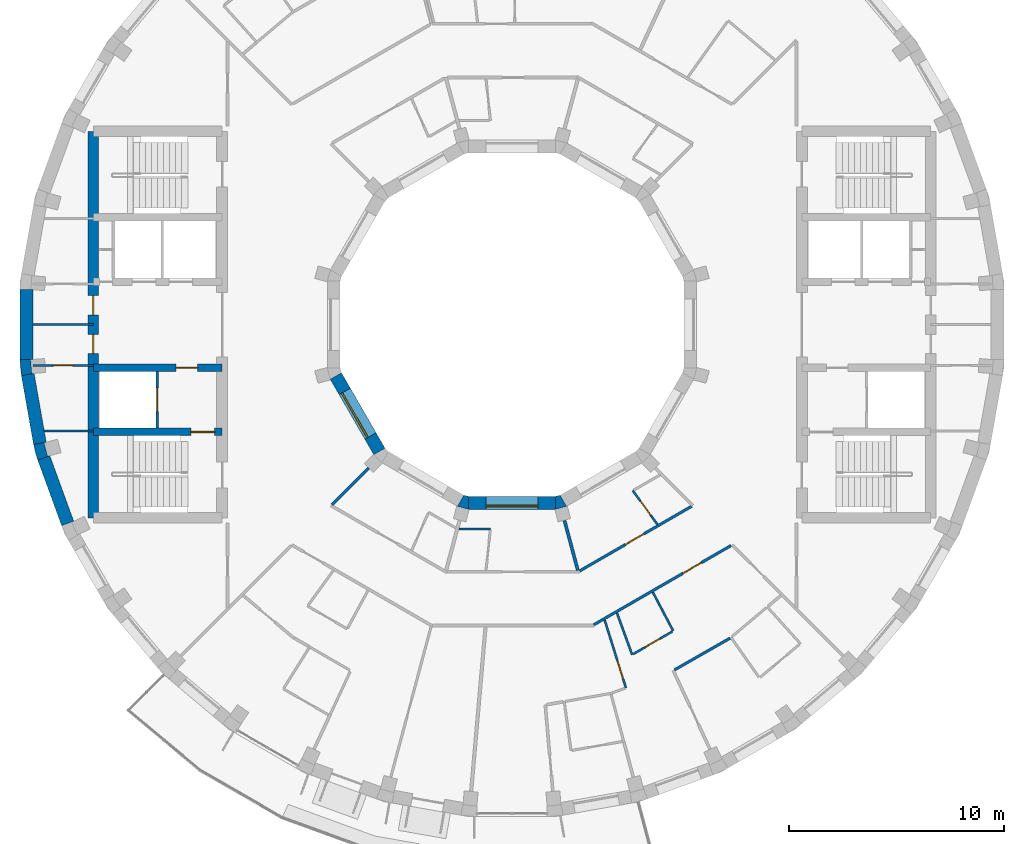
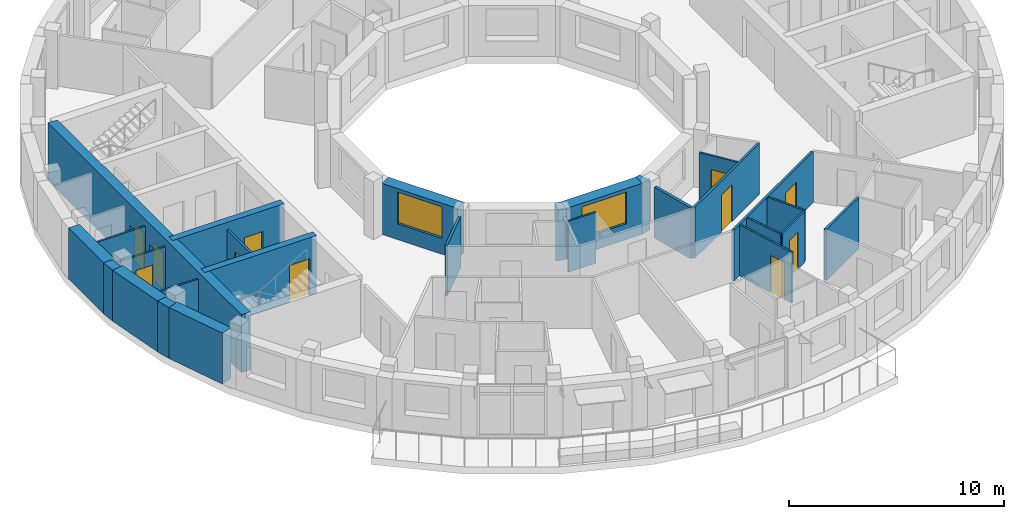
# One storey, part 5 of 12: 27 walls, 11 doors, 2 windows, 13 openings.
"""IFC4 building model written with IfcOpenShell, lengths in metres."""

from ifc_helpers import new_model, si_unit, direction, frame, frame_2d, origin, place, context, subcontext, project, spatial, polyline, rectangle, outline, extrude, material, layer, layer_set, type_object, element, fill, save


model = new_model("IFC4")

# Units and contexts
model_context = context("Model", 3, precision=1e-05, world=origin(), true_north=direction((0.0, 1.0)))
body_context = subcontext(model_context, "Body", "Model", "MODEL_VIEW")
ifc_project = project(units=[si_unit("LENGTHUNIT", "METRE"), si_unit("AREAUNIT", "SQUARE_METRE"), si_unit("VOLUMEUNIT", "CUBIC_METRE"), si_unit("PLANEANGLEUNIT", "RADIAN"), si_unit("MASSUNIT", "GRAM", prefix="KILO")], contexts=[model_context])

# Site, building, storey
site_placement = place(None, origin())
site = spatial("IfcSite", under=ifc_project, at=site_placement, CompositionType="ELEMENT")
building_placement = place(site_placement, origin())
building = spatial("IfcBuilding", under=site, at=building_placement, Name="Saqina Gate Tower", CompositionType="ELEMENT")
storey_placement = place(building_placement, frame((0.0, 0.0, 269.300048828125)))
storey = spatial("IfcBuildingStorey", under=building, at=storey_placement, Name="L77", CompositionType="ELEMENT", Elevation=269.300048828125)

# Walls
ifc_material_1 = material(Name="Brick masonry (buff)", Category="masonry")
wall_type_1 = type_object("IfcWallType", Name="BRICK PIER COPING BUFF", PredefinedType="SOLIDWALL", material=ifc_material_1)
wall_1_placement = place(storey_placement, origin())
element("IfcWall", 1, at=wall_1_placement, inside=storey, type_object=wall_type_1, Name="Pier cap L77 column 19", PredefinedType="SOLIDWALL", context=body_context, shape_type="SweptSolid", body=[
    extrude(outline(polyline([(-22.91259765625, -1.625732421875), (-22.8466796875, -2.377685546875), (-22.255859375, -2.2734375), (-22.361083984375, -2.28271484375), (-22.417724609375, -1.635009765625), (-22.3125, -1.625732421875), (-22.91259765625, -1.625732421875)])), origin(), (0.0, 0.0, 1.0), 2.89990234375),
])
wall_2_placement = place(storey_placement, origin())
element("IfcWall", 2, at=wall_2_placement, inside=storey, type_object=wall_type_1, Name="Pier cap L77 column 20", PredefinedType="SOLIDWALL", context=body_context, shape_type="SweptSolid", body=[
    extrude(outline(polyline([(-22.0869140625, -6.30859375), (-21.52294921875, -6.103515625), (-21.625, -6.130859375), (-21.793212890625, -5.5029296875), (-21.691162109375, -5.4755859375), (-22.281982421875, -5.579833984375), (-22.0869140625, -6.30859375)])), origin(), (0.0, 0.0, 1.0), 2.89990234375),
])
ifc_material_2 = material(Name="Gypsum board on steel studs", Category="steel")
ifc_layer_1 = layer(ifc_material_2, 0.10009765625)
ifc_layer_set_1 = layer_set([ifc_layer_1], Name="CORE PARTITION")
wall_type_2 = type_object("IfcWallType", Name="CORE PARTITION", PredefinedType="PARTITIONING", material=ifc_layer_set_1)
wall_3_placement = place(storey_placement, frame((-19.5, -4.949951171875, 0.0), z_axis=(0.0, 0.0, 1.0), x_axis=(-1.0, 0.0, 0.0)))
element("IfcWall", 3, at=wall_3_placement, inside=storey, type_object=wall_type_2, Name="L77-CP-W04", PredefinedType="PARTITIONING", context=body_context, shape_type="SweptSolid", body=[
    extrude(rectangle(XDim=2.283935546875, YDim=0.10009765625, at=frame_2d((1.14208984375, 0.0))), origin(), (0.0, 0.0, 1.0), 2.89990234375),
])

# Wall, opening, door
wall_4_placement = place(storey_placement, frame((-19.5, -1.89990234375, 0.0), z_axis=(0.0, 0.0, 1.0), x_axis=(-1.0, 0.0, 0.0)))
wall_4 = element("IfcWall", 4, at=wall_4_placement, inside=storey, type_object=wall_type_2, Name="L77-CP-W05", PredefinedType="PARTITIONING", context=body_context, shape_type="SweptSolid", body=[
    extrude(rectangle(XDim=2.8125, YDim=0.10009765625, at=frame_2d((1.40625, 0.0))), origin(), (0.0, 0.0, 1.0), 2.89990234375),
])
opening_1_placement = place(wall_4_placement, frame((0.956298828125, 0.0, 0.0)))
opening_1 = element("IfcOpeningElement", 5, at=opening_1_placement, cuts=wall_4, Name="Opening G23-D105", PredefinedType="OPENING", context=body_context, shape_type="SweptSolid", body=[
    extrude(rectangle(XDim=0.89990234375, YDim=2.10009765625, at=frame_2d((0.449951171875, 1.050048828125))), frame((0.0, 0.06201171875, 0.0), z_axis=(0.0, -1.0, 0.0), x_axis=(1.0, 0.0, 0.0)), (0.0, 0.0, 1.0), 0.1240234375),
])
ifc_material_3 = material(Name="Steel-framed fire door leaf, EI 60", Category="steel")
door_type_1 = type_object("IfcDoorType", Name="SERVICE ROOM DOOR 900", OperationType="SINGLE_SWING_LEFT", PredefinedType="DOOR", material=ifc_material_3)
door_1_placement = place(opening_1_placement, origin())
door_1 = element("IfcDoor", 6, at=door_1_placement, inside=storey, type_object=door_type_1, Name="L77-CD-W16", OperationType="SINGLE_SWING_RIGHT", OverallHeight=2.10009765625, OverallWidth=0.89990234375, PredefinedType="DOOR", context=body_context, shape_type="SweptSolid", body=[
    extrude(rectangle(XDim=0.89990234375, YDim=2.10009765625, at=frame_2d((0.449951171875, 1.050048828125))), frame((0.0, 0.02490234375, 0.0), z_axis=(0.0, -1.0, 0.0), x_axis=(1.0, 0.0, 0.0)), (0.0, 0.0, 1.0), 0.050048828125),
])
fill(opening_1, door_1)

# Walls
wall_5_placement = place(storey_placement, frame((-19.5, 0.0, 0.0), z_axis=(0.0, 0.0, 1.0), x_axis=(-1.0, 0.0, 0.0)))
element("IfcWall", 7, at=wall_5_placement, inside=storey, type_object=wall_type_2, Name="L77-CP-W06", PredefinedType="PARTITIONING", context=body_context, shape_type="SweptSolid", body=[
    extrude(rectangle(XDim=2.8125, YDim=0.10009765625, at=frame_2d((1.40625, 0.0))), origin(), (0.0, 0.0, 1.0), 2.89990234375),
])
ifc_material_4 = material(Name="Glazed ceramic tile", Category="ceramic")
ifc_layer_2 = layer(ifc_material_4, 0.60009765625)
ifc_layer_set_2 = layer_set([ifc_layer_2], Name="FW-TILE")
wall_type_3 = type_object("IfcWallType", Name="FW-TILE", PredefinedType="SOLIDWALL", material=ifc_layer_set_2)
wall_6_placement = place(storey_placement, frame((-22.612548828125, 1.625732421875, 0.0), z_axis=(0.0, 0.0, 1.0), x_axis=(0.0, -1.0, 0.0)))
element("IfcWall", 8, at=wall_6_placement, inside=storey, type_object=wall_type_3, Name="Facade wall L77 facet 18", PredefinedType="SOLIDWALL", context=body_context, shape_type="SweptSolid", body=[
    extrude(rectangle(XDim=3.25146484375, YDim=0.60009765625, at=frame_2d((1.625732421875, 0.0))), origin(), (0.0, 0.0, 1.0), 2.89990234375),
])
wall_7_placement = place(storey_placement, frame((-21.804931640625, -6.2060546875, 0.0), z_axis=(0.0, 0.0, 1.0), x_axis=(0.342056509473, -0.939679383794, 0.0)))
element("IfcWall", 9, at=wall_7_placement, inside=storey, type_object=wall_type_3, Name="Facade wall L77 facet 20", PredefinedType="SOLIDWALL", context=body_context, shape_type="SweptSolid", body=[
    extrude(rectangle(XDim=3.251708984375, YDim=0.60009765625, at=frame_2d((1.6259765625, 0.0))), origin(), (0.0, 0.0, 1.0), 2.89990234375),
])
ifc_material_5 = material(Name="Glazed ceramic tile (white)", Category="ceramic")
ifc_layer_3 = layer(ifc_material_5, 0.60009765625)
ifc_layer_set_3 = layer_set([ifc_layer_3], Name="FW-TILE-WH")
wall_type_4 = type_object("IfcWallType", Name="FW-TILE-WH", PredefinedType="SOLIDWALL", material=ifc_layer_set_3)
wall_8_placement = place(storey_placement, frame((-22.55126953125, -2.325439453125, 0.0), z_axis=(0.0, 0.0, 1.0), x_axis=(0.173656842178, -0.984806225186, 0.0)))
element("IfcWall", 10, at=wall_8_placement, inside=storey, type_object=wall_type_4, Name="Facade wall L77 facet 19", PredefinedType="SOLIDWALL", context=body_context, shape_type="SweptSolid", body=[
    extrude(rectangle(XDim=3.251708984375, YDim=0.60009765625, at=frame_2d((1.6259765625, 0.0))), origin(), (0.0, 0.0, 1.0), 2.89990234375),
])

# Wall, opening, window
ifc_material_6 = material(Name="Glazed ceramic tile", Category="ceramic")
ifc_layer_4 = layer(ifc_material_6, 0.60009765625)
ifc_layer_set_4 = layer_set([ifc_layer_4], Name="IW-TILE")
wall_type_5 = type_object("IfcWallType", Name="IW-TILE", PredefinedType="SOLIDWALL", material=ifc_layer_set_4)
wall_9_placement = place(storey_placement, frame((-8.20263671875, -2.392578125, 0.0), z_axis=(0.0, 0.0, 1.0), x_axis=(0.499994954979, -0.866028316509, 0.0)))
wall_9 = element("IfcWall", 11, at=wall_9_placement, inside=storey, type_object=wall_type_5, Name="Well wall L77 facet 7", PredefinedType="SOLIDWALL", context=body_context, shape_type="SweptSolid", body=[
    extrude(rectangle(XDim=4.05859375, YDim=0.60009765625, at=frame_2d((2.029296875, 0.0))), origin(), (0.0, 0.0, 1.0), 2.89990234375),
])
opening_2_placement = place(wall_9_placement, frame((0.829345703125, 0.0, 0.89990234375)))
opening_2 = element("IfcOpeningElement", 12, at=opening_2_placement, cuts=wall_9, Name="Opening G23-W29", PredefinedType="OPENING", context=body_context, shape_type="SweptSolid", body=[
    extrude(rectangle(XDim=2.39990234375, YDim=1.800048828125, at=frame_2d((1.199951171875, 0.89990234375))), frame((0.0, 0.31201171875, 0.0), z_axis=(0.0, -1.0, 0.0), x_axis=(1.0, 0.0, 0.0)), (0.0, 0.0, 1.0), 0.6240234375),
])
ifc_material_7 = material(Name="Aluminium glazing", Category="aluminium")
window_type = type_object("IfcWindowType", Name="WN-W", PartitioningType="SINGLE_PANEL", PredefinedType="WINDOW", material=ifc_material_7)
window_1_placement = place(opening_2_placement, origin())
window_1 = element("IfcWindow", 13, at=window_1_placement, inside=storey, type_object=window_type, Name="Well window L77 facet 7", OverallHeight=1.800048828125, OverallWidth=2.39990234375, PartitioningType="SINGLE_PANEL", PredefinedType="WINDOW", context=body_context, shape_type="SweptSolid", body=[
    extrude(rectangle(XDim=2.39990234375, YDim=1.800048828125, at=frame_2d((1.199951171875, 0.89990234375))), frame((0.0, -0.119873046875, 0.0), z_axis=(0.0, -1.0, 0.0), x_axis=(1.0, 0.0, 0.0)), (0.0, 0.0, 1.0), 0.06005859375),
])
fill(opening_2, window_1)

wall_10_placement = place(storey_placement, frame((-2.029296875, -8.300048828125, 0.0), z_axis=(0.0, 0.0, 1.0), x_axis=(1.0, 0.0, 0.0)))
wall_10 = element("IfcWall", 14, at=wall_10_placement, inside=storey, type_object=wall_type_5, Name="Well wall L77 facet 9", PredefinedType="SOLIDWALL", context=body_context, shape_type="SweptSolid", body=[
    extrude(rectangle(XDim=4.05859375, YDim=0.60009765625, at=frame_2d((2.029296875, 0.0))), origin(), (0.0, 0.0, 1.0), 2.89990234375),
])
opening_3_placement = place(wall_10_placement, frame((0.829345703125, 0.0, 0.89990234375)))
opening_3 = element("IfcOpeningElement", 15, at=opening_3_placement, cuts=wall_10, Name="Opening G23-W31", PredefinedType="OPENING", context=body_context, shape_type="SweptSolid", body=[
    extrude(rectangle(XDim=2.39990234375, YDim=1.800048828125, at=frame_2d((1.199951171875, 0.89990234375))), frame((0.0, 0.31201171875, 0.0), z_axis=(0.0, -1.0, 0.0), x_axis=(1.0, 0.0, 0.0)), (0.0, 0.0, 1.0), 0.6240234375),
])
window_2_placement = place(opening_3_placement, origin())
window_2 = element("IfcWindow", 16, at=window_2_placement, inside=storey, type_object=window_type, Name="Well window L77 facet 9", OverallHeight=1.800048828125, OverallWidth=2.39990234375, PartitioningType="SINGLE_PANEL", PredefinedType="WINDOW", context=body_context, shape_type="SweptSolid", body=[
    extrude(rectangle(XDim=2.39990234375, YDim=1.800048828125, at=frame_2d((1.199951171875, 0.89990234375))), frame((0.0, -0.119873046875, 0.0), z_axis=(0.0, -1.0, 0.0), x_axis=(1.0, 0.0, 0.0)), (0.0, 0.0, 1.0), 0.06005859375),
])
fill(opening_3, window_2)

# Wall, opening, door
ifc_material_8 = material(Name="Gypsum board on steel studs, 100 mm", Category="steel")
ifc_layer_5 = layer(ifc_material_8, 0.10009765625)
ifc_layer_set_5 = layer_set([ifc_layer_5], Name="PARTITION 100")
wall_type_6 = type_object("IfcWallType", Name="PARTITION 100", PredefinedType="PARTITIONING", material=ifc_layer_set_5)
wall_11_placement = place(storey_placement, frame((4.314697265625, -13.757568359375, 0.0), z_axis=(0.0, 0.0, 1.0), x_axis=(0.299479577404, -0.95410271078, 0.0)))
wall_11 = element("IfcWall", 17, at=wall_11_placement, inside=storey, type_object=wall_type_6, Name="PARTITION PW3-08", PredefinedType="PARTITIONING", context=body_context, shape_type="SweptSolid", body=[
    extrude(rectangle(XDim=3.3115234375, YDim=0.10009765625, at=frame_2d((1.65576171875, 0.0))), origin(), (0.0, 0.0, 1.0), 2.89990234375),
])
opening_4_placement = place(wall_11_placement, frame((1.973876953125, 0.0, 0.0)))
opening_4 = element("IfcOpeningElement", 18, at=opening_4_placement, cuts=wall_11, Name="Opening G23-D33", PredefinedType="OPENING", context=body_context, shape_type="SweptSolid", body=[
    extrude(rectangle(XDim=0.89990234375, YDim=2.10009765625, at=frame_2d((0.449951171875, 1.050048828125))), frame((0.0, 0.06201171875, 0.0), z_axis=(0.0, -1.0, 0.0), x_axis=(1.0, 0.0, 0.0)), (0.0, 0.0, 1.0), 0.1240234375),
])
ifc_material_9 = material(Name="Timber door leaf, 900 mm", Category="wood")
door_type_2 = type_object("IfcDoorType", Name="DOOR 900 TIMBER", OperationType="SINGLE_SWING_LEFT", PredefinedType="DOOR", material=ifc_material_9)
door_2_placement = place(opening_4_placement, origin())
door_2 = element("IfcDoor", 19, at=door_2_placement, inside=storey, type_object=door_type_2, Name="DOOR G23-D33", OperationType="SINGLE_SWING_LEFT", OverallHeight=2.10009765625, OverallWidth=0.89990234375, PredefinedType="DOOR", context=body_context, shape_type="SweptSolid", body=[
    extrude(rectangle(XDim=0.89990234375, YDim=2.10009765625, at=frame_2d((0.449951171875, 1.050048828125))), frame((0.0, 0.02490234375, 0.0), z_axis=(0.0, -1.0, 0.0), x_axis=(1.0, 0.0, 0.0)), (0.0, 0.0, 1.0), 0.050048828125),
])
fill(opening_4, door_2)

# Walls
wall_12_placement = place(storey_placement, frame((4.887451171875, -13.4267578125, 0.0), z_axis=(0.0, 0.0, 1.0), x_axis=(0.34179045994, -0.939776186916, 0.0)))
element("IfcWall", 20, at=wall_12_placement, inside=storey, type_object=wall_type_6, Name="PARTITION PW3-09", PredefinedType="PARTITIONING", context=body_context, shape_type="SweptSolid", body=[
    extrude(rectangle(XDim=2.06787109375, YDim=0.10009765625, at=frame_2d((1.033935546875, 0.0))), origin(), (0.0, 0.0, 1.0), 2.89990234375),
])
wall_13_placement = place(storey_placement, frame((6.559326171875, -12.46240234375, 0.0), z_axis=(0.0, 0.0, 1.0), x_axis=(0.465716796336, -0.884933819904, 0.0)))
element("IfcWall", 21, at=wall_13_placement, inside=storey, type_object=wall_type_6, Name="PARTITION PW3-11", PredefinedType="PARTITIONING", context=body_context, shape_type="SweptSolid", body=[
    extrude(rectangle(XDim=2.037109375, YDim=0.10009765625, at=frame_2d((1.0185546875, 0.0))), origin(), (0.0, 0.0, 1.0), 2.89990234375),
])

# Wall, opening, door
wall_14_placement = place(storey_placement, frame((5.6259765625, -7.73291015625, 0.0), z_axis=(0.0, 0.0, 1.0), x_axis=(0.588655753786, -0.808383821915, 0.0)))
wall_14 = element("IfcWall", 22, at=wall_14_placement, inside=storey, type_object=wall_type_6, Name="PARTITION PW3-14", PredefinedType="PARTITIONING", context=body_context, shape_type="SweptSolid", body=[
    extrude(rectangle(XDim=1.948974609375, YDim=0.10009765625, at=frame_2d((0.974609375, 0.0))), origin(), (0.0, 0.0, 1.0), 2.89990234375),
])
opening_5_placement = place(wall_14_placement, frame((0.605712890625, 0.0, 0.0)))
opening_5 = element("IfcOpeningElement", 23, at=opening_5_placement, cuts=wall_14, Name="Opening G23-D37", PredefinedType="OPENING", context=body_context, shape_type="SweptSolid", body=[
    extrude(rectangle(XDim=0.800048828125, YDim=2.10009765625, at=frame_2d((0.39990234375, 1.050048828125))), frame((0.0, 0.06201171875, 0.0), z_axis=(0.0, -1.0, 0.0), x_axis=(1.0, 0.0, 0.0)), (0.0, 0.0, 1.0), 0.1240234375),
])
ifc_material_10 = material(Name="Timber door leaf, 800 mm", Category="wood")
door_type_3 = type_object("IfcDoorType", Name="DOOR 800 TIMBER", OperationType="SINGLE_SWING_LEFT", PredefinedType="DOOR", material=ifc_material_10)
door_3_placement = place(opening_5_placement, frame((0.800048828125, 0.0, 0.0), z_axis=(0.0, 0.0, 1.0), x_axis=(-1.0, 0.0, 0.0)))
door_3 = element("IfcDoor", 24, at=door_3_placement, inside=storey, type_object=door_type_3, Name="DOOR G23-D37", OperationType="SINGLE_SWING_LEFT", OverallHeight=2.10009765625, OverallWidth=0.800048828125, PredefinedType="DOOR", context=body_context, shape_type="SweptSolid", body=[
    extrude(rectangle(XDim=0.800048828125, YDim=2.10009765625, at=frame_2d((0.39990234375, 1.050048828125))), frame((0.0, 0.02490234375, 0.0), z_axis=(0.0, -1.0, 0.0), x_axis=(1.0, 0.0, 0.0)), (0.0, 0.0, 1.0), 0.050048828125),
])
fill(opening_5, door_3)

# Wall
wall_15_placement = place(storey_placement, frame((-2.472900390625, -9.510009765625, 0.0), z_axis=(0.0, 0.0, 1.0), x_axis=(1.0, 0.0, 0.0)))
element("IfcWall", 25, at=wall_15_placement, inside=storey, type_object=wall_type_6, Name="PARTITION PW3-25", PredefinedType="PARTITIONING", context=body_context, shape_type="SweptSolid", body=[
    extrude(rectangle(XDim=1.466796875, YDim=0.10009765625, at=frame_2d((0.7333984375, 0.0))), origin(), (0.0, 0.0, 1.0), 2.89990234375),
])

# Wall, opening, door
wall_16_placement = place(storey_placement, frame((5.64013671875, -15.345947265625, 0.0), z_axis=(0.0, 0.0, 1.0), x_axis=(0.866046731735, 0.499963057087, 0.0)))
wall_16 = element("IfcWall", 26, at=wall_16_placement, inside=storey, type_object=wall_type_6, Name="PARTITION PW3-34", PredefinedType="PARTITIONING", context=body_context, shape_type="SweptSolid", body=[
    extrude(rectangle(XDim=2.108154296875, YDim=0.10009765625, at=frame_2d((1.05419921875, 0.0))), origin(), (0.0, 0.0, 1.0), 2.89990234375),
])
opening_6_placement = place(wall_16_placement, frame((0.653076171875, 0.0, 0.0)))
opening_6 = element("IfcOpeningElement", 27, at=opening_6_placement, cuts=wall_16, Name="Opening G23-D34", PredefinedType="OPENING", context=body_context, shape_type="SweptSolid", body=[
    extrude(rectangle(XDim=0.800048828125, YDim=2.10009765625, at=frame_2d((0.39990234375, 1.050048828125))), frame((0.0, 0.06201171875, 0.0), z_axis=(0.0, -1.0, 0.0), x_axis=(1.0, 0.0, 0.0)), (0.0, 0.0, 1.0), 0.1240234375),
])
door_4_placement = place(opening_6_placement, frame((0.800048828125, 0.0, 0.0), z_axis=(0.0, 0.0, 1.0), x_axis=(-1.0, 0.0, 0.0)))
door_4 = element("IfcDoor", 28, at=door_4_placement, inside=storey, type_object=door_type_3, Name="DOOR G23-D34", OperationType="SINGLE_SWING_RIGHT", OverallHeight=2.10009765625, OverallWidth=0.800048828125, PredefinedType="DOOR", context=body_context, shape_type="SweptSolid", body=[
    extrude(rectangle(XDim=0.800048828125, YDim=2.10009765625, at=frame_2d((0.39990234375, 1.050048828125))), frame((0.0, 0.02490234375, 0.0), z_axis=(0.0, -1.0, 0.0), x_axis=(1.0, 0.0, 0.0)), (0.0, 0.0, 1.0), 0.050048828125),
])
fill(opening_6, door_4)

# Wall
ifc_material_11 = material(Name="Gypsum board on steel studs, 125 mm, fire rated", Category="steel")
ifc_layer_6 = layer(ifc_material_11, 0.125)
ifc_layer_set_6 = layer_set([ifc_layer_6], Name="PARTITION EI 30 125")
wall_type_7 = type_object("IfcWallType", Name="PARTITION EI 30 125", PredefinedType="PARTITIONING", material=ifc_layer_set_6)
wall_17_placement = place(storey_placement, frame((7.568603515625, -16.07861328125, 0.0), z_axis=(0.0, 0.0, 1.0), x_axis=(0.868243142124, 0.496138938357, 0.0)))
element("IfcWall", 29, at=wall_17_placement, inside=storey, type_object=wall_type_7, Name="PARTITION PW1-24", PredefinedType="PARTITIONING", context=body_context, shape_type="SweptSolid", body=[
    extrude(rectangle(XDim=2.98388671875, YDim=0.125, at=frame_2d((1.491943359375, 0.0))), origin(), (0.0, 0.0, 1.0), 2.89990234375),
])

# Wall, opening, door
wall_18_placement = place(storey_placement, frame((3.80810546875, -13.978759765625, 0.0), z_axis=(0.0, 0.0, 1.0), x_axis=(0.866028642731, 0.499994389938, 0.0)))
wall_18 = element("IfcWall", 30, at=wall_18_placement, inside=storey, type_object=wall_type_7, Name="PARTITION PW1-26", PredefinedType="PARTITIONING", context=body_context, shape_type="SweptSolid", body=[
    extrude(rectangle(XDim=7.3828125, YDim=0.125, at=frame_2d((3.69140625, 0.0))), origin(), (0.0, 0.0, 1.0), 2.89990234375),
])
opening_7_placement = place(wall_18_placement, frame((4.794921875, 0.0, 0.0)))
opening_7 = element("IfcOpeningElement", 31, at=opening_7_placement, cuts=wall_18, Name="Opening G23-D38", PredefinedType="OPENING", context=body_context, shape_type="SweptSolid", body=[
    extrude(rectangle(XDim=1.0, YDim=2.10009765625, at=frame_2d((0.5, 1.050048828125))), frame((0.0, 0.074462890625, 0.0), z_axis=(0.0, -1.0, 0.0), x_axis=(1.0, 0.0, 0.0)), (0.0, 0.0, 1.0), 0.14892578125),
])
ifc_material_12 = material(Name="Fire door leaf EI 30, 1000 mm")
door_type_4 = type_object("IfcDoorType", Name="DOOR 1000 EI 30", OperationType="SINGLE_SWING_LEFT", PredefinedType="DOOR", material=ifc_material_12)
door_5_placement = place(opening_7_placement, frame((1.0, 0.0, 0.0), z_axis=(0.0, 0.0, 1.0), x_axis=(-1.0, 0.0, 0.0)))
door_5 = element("IfcDoor", 32, at=door_5_placement, inside=storey, type_object=door_type_4, Name="DOOR G23-D38", OperationType="SINGLE_SWING_LEFT", OverallHeight=2.10009765625, OverallWidth=1.0, PredefinedType="DOOR", context=body_context, shape_type="SweptSolid", body=[
    extrude(rectangle(XDim=1.0, YDim=2.10009765625, at=frame_2d((0.5, 1.050048828125))), frame((0.0, 0.02490234375, 0.0), z_axis=(0.0, -1.0, 0.0), x_axis=(1.0, 0.0, 0.0)), (0.0, 0.0, 1.0), 0.050048828125),
])
fill(opening_7, door_5)

wall_19_placement = place(storey_placement, frame((3.14892578125, -11.472412109375, 0.0), z_axis=(0.0, 0.0, 1.0), x_axis=(0.866047390407, 0.499961916119, 0.0)))
wall_19 = element("IfcWall", 33, at=wall_19_placement, inside=storey, type_object=wall_type_7, Name="PARTITION PW1-27", PredefinedType="PARTITIONING", context=body_context, shape_type="SweptSolid", body=[
    extrude(rectangle(XDim=6.03076171875, YDim=0.125, at=frame_2d((3.015380859375, 0.0))), origin(), (0.0, 0.0, 1.0), 2.89990234375),
])
opening_8_placement = place(wall_19_placement, frame((2.458984375, 0.0, 0.0)))
opening_8 = element("IfcOpeningElement", 34, at=opening_8_placement, cuts=wall_19, Name="Opening G23-D36", PredefinedType="OPENING", context=body_context, shape_type="SweptSolid", body=[
    extrude(rectangle(XDim=1.0, YDim=2.10009765625, at=frame_2d((0.5, 1.050048828125))), frame((0.0, 0.074462890625, 0.0), z_axis=(0.0, -1.0, 0.0), x_axis=(1.0, 0.0, 0.0)), (0.0, 0.0, 1.0), 0.14892578125),
])
door_6_placement = place(opening_8_placement, origin())
door_6 = element("IfcDoor", 35, at=door_6_placement, inside=storey, type_object=door_type_4, Name="DOOR G23-D36", OperationType="SINGLE_SWING_LEFT", OverallHeight=2.10009765625, OverallWidth=1.0, PredefinedType="DOOR", context=body_context, shape_type="SweptSolid", body=[
    extrude(rectangle(XDim=1.0, YDim=2.10009765625, at=frame_2d((0.5, 1.050048828125))), frame((0.0, 0.02490234375, 0.0), z_axis=(0.0, -1.0, 0.0), x_axis=(1.0, 0.0, 0.0)), (0.0, 0.0, 1.0), 0.050048828125),
])
fill(opening_8, door_6)

# Walls
wall_20_placement = place(storey_placement, frame((-8.3818359375, -8.3818359375, 0.0), z_axis=(0.0, 0.0, 1.0), x_axis=(0.707106781187, 0.707106781187, 0.0)))
element("IfcWall", 36, at=wall_20_placement, inside=storey, type_object=wall_type_7, Name="PARTITION PW1-33", PredefinedType="PARTITIONING", context=body_context, shape_type="SweptSolid", body=[
    extrude(rectangle(XDim=2.411376953125, YDim=0.125, at=frame_2d((1.20556640625, 0.0))), origin(), (0.0, 0.0, 1.0), 2.89990234375),
])
ifc_material_13 = material(Name="Gypsum board on steel studs, 150 mm, fire rated", Category="steel")
ifc_layer_7 = layer(ifc_material_13, 0.14990234375)
ifc_layer_set_7 = layer_set([ifc_layer_7], Name="PARTITION EI 60 150")
wall_type_8 = type_object("IfcWallType", Name="PARTITION EI 60 150", PredefinedType="PARTITIONING", material=ifc_layer_set_7)
wall_21_placement = place(storey_placement, frame((2.444091796875, -9.120361328125, 0.0), z_axis=(0.0, 0.0, 1.0), x_axis=(0.258891282715, -0.965906467384, 0.0)))
element("IfcWall", 37, at=wall_21_placement, inside=storey, type_object=wall_type_8, Name="PARTITION PW2-02", PredefinedType="PARTITIONING", context=body_context, shape_type="SweptSolid", body=[
    extrude(rectangle(XDim=2.411376953125, YDim=0.14990234375, at=frame_2d((1.20556640625, 0.0))), origin(), (0.0, 0.0, 1.0), 2.89990234375),
])

# Wall, opening, door
ifc_material_14 = material(Name="Autoclaved aerated concrete block", Category="concrete")
ifc_layer_8 = layer(ifc_material_14, 0.1201171875)
ifc_layer_set_8 = layer_set([ifc_layer_8], Name="SHAFT PARTITION")
wall_type_9 = type_object("IfcWallType", Name="SHAFT PARTITION", PredefinedType="PARTITIONING", material=ifc_layer_set_8)
wall_22_placement = place(storey_placement, frame((-16.530029296875, -4.824951171875, 0.0), z_axis=(0.0, 0.0, 1.0), x_axis=(0.0, 1.0, 0.0)))
wall_22 = element("IfcWall", 38, at=wall_22_placement, inside=storey, type_object=wall_type_9, Name="L77-CP-W09", PredefinedType="PARTITIONING", context=body_context, shape_type="SweptSolid", body=[
    extrude(rectangle(XDim=2.64990234375, YDim=0.1201171875, at=frame_2d((1.324951171875, 0.0))), origin(), (0.0, 0.0, 1.0), 2.89990234375),
])
opening_9_placement = place(wall_22_placement, frame((0.77490234375, 0.0, 0.0)))
opening_9 = element("IfcOpeningElement", 39, at=opening_9_placement, cuts=wall_22, Name="Opening G23-LD6", PredefinedType="OPENING", context=body_context, shape_type="SweptSolid", body=[
    extrude(rectangle(XDim=1.10009765625, YDim=2.10009765625, at=frame_2d((0.550048828125, 1.050048828125))), frame((0.0, 0.072021484375, 0.0), z_axis=(0.0, -1.0, 0.0), x_axis=(1.0, 0.0, 0.0)), (0.0, 0.0, 1.0), 0.14404296875),
])
ifc_material_15 = material(Name="Stainless steel", Category="steel")
door_type_5 = type_object("IfcDoorType", Name="LANDING DOOR", OperationType="DOUBLE_DOOR_SLIDING", PredefinedType="DOOR", material=ifc_material_15)
door_7_placement = place(opening_9_placement, origin())
door_7 = element("IfcDoor", 40, at=door_7_placement, inside=storey, type_object=door_type_5, Name="LANDING DOOR FF2", OperationType="DOUBLE_DOOR_SLIDING", OverallHeight=2.10009765625, OverallWidth=1.10009765625, PredefinedType="DOOR", context=body_context, shape_type="SweptSolid", body=[
    extrude(rectangle(XDim=1.10009765625, YDim=2.10009765625, at=frame_2d((0.550048828125, 1.050048828125))), frame((0.0, 0.02490234375, 0.0), z_axis=(0.0, -1.0, 0.0), x_axis=(1.0, 0.0, 0.0)), (0.0, 0.0, 1.0), 0.050048828125),
])
fill(opening_9, door_7)

ifc_material_16 = material(Name="Concrete C60/75", Category="concrete")
ifc_layer_9 = layer(ifc_material_16, 0.35009765625)
ifc_layer_set_9 = layer_set([ifc_layer_9], Name="Concrete C60/75")
wall_type_10 = type_object("IfcWallType", Name="STR-CORE WALL-D-I", PredefinedType="SHEAR", material=ifc_layer_set_9)
wall_23_placement = place(storey_placement, frame((-13.5, -5.0, 0.0), z_axis=(0.0, 0.0, 1.0), x_axis=(-1.0, 0.0, 0.0)))
wall_23 = element("IfcWall", 41, at=wall_23_placement, inside=storey, type_object=wall_type_10, Name="CORE WALL L77 W-X2", PredefinedType="SHEAR", context=body_context, shape_type="SweptSolid", body=[
    extrude(rectangle(XDim=6.0, YDim=0.35009765625, at=frame_2d((3.0, 0.0))), origin(), (0.0, 0.0, 1.0), 3.300048828125),
])
opening_10_placement = place(wall_23_placement, frame((0.35009765625, 0.0, 0.0)))
opening_10 = element("IfcOpeningElement", 42, at=opening_10_placement, cuts=wall_23, Name="Opening G23-D108", PredefinedType="OPENING", context=body_context, shape_type="SweptSolid", body=[
    extrude(rectangle(XDim=1.10009765625, YDim=2.10009765625, at=frame_2d((0.550048828125, 1.050048828125))), frame((0.0, 0.18701171875, 0.0), z_axis=(0.0, -1.0, 0.0), x_axis=(1.0, 0.0, 0.0)), (0.0, 0.0, 1.0), 0.3740234375),
])
ifc_material_17 = material(Name="Steel", Category="steel")
door_type_6 = type_object("IfcDoorType", Name="FIRE LOBBY DOOR EI 60 WIDE", OperationType="SINGLE_SWING_LEFT", PredefinedType="DOOR", material=ifc_material_17)
door_8_placement = place(opening_10_placement, origin())
door_8 = element("IfcDoor", 43, at=door_8_placement, inside=storey, type_object=door_type_6, Name="L77-CD-W19", OperationType="SINGLE_SWING_LEFT", OverallHeight=2.10009765625, OverallWidth=1.10009765625, PredefinedType="DOOR", context=body_context, shape_type="SweptSolid", body=[
    extrude(rectangle(XDim=1.10009765625, YDim=2.10009765625, at=frame_2d((0.550048828125, 1.050048828125))), frame((0.0, 0.02490234375, 0.0), z_axis=(0.0, -1.0, 0.0), x_axis=(1.0, 0.0, 0.0)), (0.0, 0.0, 1.0), 0.050048828125),
])
fill(opening_10, door_8)

wall_24_placement = place(storey_placement, frame((-13.5, -2.0, 0.0), z_axis=(0.0, 0.0, 1.0), x_axis=(-1.0, 0.0, 0.0)))
wall_24 = element("IfcWall", 44, at=wall_24_placement, inside=storey, type_object=wall_type_10, Name="CORE WALL L77 W-L2", PredefinedType="SHEAR", context=body_context, shape_type="SweptSolid", body=[
    extrude(rectangle(XDim=6.0, YDim=0.35009765625, at=frame_2d((3.0, 0.0))), origin(), (0.0, 0.0, 1.0), 3.300048828125),
])
opening_11_placement = place(wall_24_placement, frame((1.139892578125, 0.0, 0.0)))
opening_11 = element("IfcOpeningElement", 45, at=opening_11_placement, cuts=wall_24, Name="Opening G23-D102", PredefinedType="OPENING", context=body_context, shape_type="SweptSolid", body=[
    extrude(rectangle(XDim=1.0, YDim=2.10009765625, at=frame_2d((0.5, 1.050048828125))), frame((0.0, 0.18701171875, 0.0), z_axis=(0.0, -1.0, 0.0), x_axis=(1.0, 0.0, 0.0)), (0.0, 0.0, 1.0), 0.3740234375),
])
ifc_material_18 = material(Name="Steel", Category="steel")
door_type_7 = type_object("IfcDoorType", Name="FIRE LOBBY DOOR EI 60", OperationType="SINGLE_SWING_LEFT", PredefinedType="DOOR", material=ifc_material_18)
door_9_placement = place(opening_11_placement, frame((1.0, 0.0, 0.0), z_axis=(0.0, 0.0, 1.0), x_axis=(-1.0, 0.0, 0.0)))
door_9 = element("IfcDoor", 46, at=door_9_placement, inside=storey, type_object=door_type_7, Name="L77-CD-W13", OperationType="SINGLE_SWING_RIGHT", OverallHeight=2.10009765625, OverallWidth=1.0, PredefinedType="DOOR", context=body_context, shape_type="SweptSolid", body=[
    extrude(rectangle(XDim=1.0, YDim=2.10009765625, at=frame_2d((0.5, 1.050048828125))), frame((0.0, 0.02490234375, 0.0), z_axis=(0.0, -1.0, 0.0), x_axis=(1.0, 0.0, 0.0)), (0.0, 0.0, 1.0), 0.050048828125),
])
fill(opening_11, door_9)

# Wall, openings, doors
ifc_material_19 = material(Name="Concrete C60/75", Category="concrete")
ifc_layer_10 = layer(ifc_material_19, 0.5)
ifc_layer_set_10 = layer_set([ifc_layer_10], Name="Concrete C60/75")
wall_type_11 = type_object("IfcWallType", Name="STR-CORE WALL-D-O", PredefinedType="SHEAR", material=ifc_layer_set_10)
wall_25_placement = place(storey_placement, frame((-19.5, -9.0, 0.0), z_axis=(0.0, 0.0, 1.0), x_axis=(0.0, 1.0, 0.0)))
wall_25 = element("IfcWall", 47, at=wall_25_placement, inside=storey, type_object=wall_type_11, Name="CORE WALL L77 W-W2", PredefinedType="SHEAR", context=body_context, shape_type="SweptSolid", body=[
    extrude(rectangle(XDim=18.0, YDim=0.5, at=frame_2d((9.0, 0.0))), origin(), (0.0, 0.0, 1.0), 3.300048828125),
])
opening_12_placement = place(wall_25_placement, frame((9.449951171875, 0.0, 0.0)))
opening_12 = element("IfcOpeningElement", 48, at=opening_12_placement, cuts=wall_25, Name="Opening G23-D104", PredefinedType="OPENING", context=body_context, shape_type="SweptSolid", body=[
    extrude(rectangle(XDim=0.89990234375, YDim=2.10009765625, at=frame_2d((0.449951171875, 1.050048828125))), frame((0.0, 0.261962890625, 0.0), z_axis=(0.0, -1.0, 0.0), x_axis=(1.0, 0.0, 0.0)), (0.0, 0.0, 1.0), 0.52392578125),
])
opening_13_placement = place(wall_25_placement, frame((7.64990234375, 0.0, 0.0)))
opening_13 = element("IfcOpeningElement", 49, at=opening_13_placement, cuts=wall_25, Name="Opening G23-D106", PredefinedType="OPENING", context=body_context, shape_type="SweptSolid", body=[
    extrude(rectangle(XDim=0.89990234375, YDim=2.10009765625, at=frame_2d((0.449951171875, 1.050048828125))), frame((0.0, 0.261962890625, 0.0), z_axis=(0.0, -1.0, 0.0), x_axis=(1.0, 0.0, 0.0)), (0.0, 0.0, 1.0), 0.52392578125),
])
door_10_placement = place(opening_12_placement, origin())
door_10 = element("IfcDoor", 50, at=door_10_placement, inside=storey, type_object=door_type_1, Name="L77-CD-W15", OperationType="SINGLE_SWING_RIGHT", OverallHeight=2.10009765625, OverallWidth=0.89990234375, PredefinedType="DOOR", context=body_context, shape_type="SweptSolid", body=[
    extrude(rectangle(XDim=0.89990234375, YDim=2.10009765625, at=frame_2d((0.449951171875, 1.050048828125))), frame((0.0, 0.02490234375, 0.0), z_axis=(0.0, -1.0, 0.0), x_axis=(1.0, 0.0, 0.0)), (0.0, 0.0, 1.0), 0.050048828125),
])
fill(opening_12, door_10)
door_11_placement = place(opening_13_placement, origin())
door_11 = element("IfcDoor", 51, at=door_11_placement, inside=storey, type_object=door_type_1, Name="L77-CD-W17", OperationType="SINGLE_SWING_LEFT", OverallHeight=2.10009765625, OverallWidth=0.89990234375, PredefinedType="DOOR", context=body_context, shape_type="SweptSolid", body=[
    extrude(rectangle(XDim=0.89990234375, YDim=2.10009765625, at=frame_2d((0.449951171875, 1.050048828125))), frame((0.0, 0.02490234375, 0.0), z_axis=(0.0, -1.0, 0.0), x_axis=(1.0, 0.0, 0.0)), (0.0, 0.0, 1.0), 0.050048828125),
])
fill(opening_13, door_11)

# Walls
ifc_material_20 = material(Name="Glazed ceramic tile", Category="ceramic")
wall_type_12 = type_object("IfcWallType", Name="TILE PIER COPING", PredefinedType="SOLIDWALL", material=ifc_material_20)
wall_26_placement = place(storey_placement, origin())
element("IfcWall", 52, at=wall_26_placement, inside=storey, type_object=wall_type_12, Name="Well pier cap L77 column 9", PredefinedType="SOLIDWALL", context=body_context, shape_type="SweptSolid", body=[
    extrude(outline(polyline([(-2.029296875, -8.60009765625), (-2.029296875, -8.0), (-2.242431640625, -7.94287109375), (-2.54248046875, -8.46240234375), (-2.029296875, -8.60009765625)])), origin(), (0.0, 0.0, 1.0), 2.89990234375),
])
wall_27_placement = place(storey_placement, origin())
element("IfcWall", 53, at=wall_27_placement, inside=storey, type_object=wall_type_12, Name="Well pier cap L77 column 10", PredefinedType="SOLIDWALL", context=body_context, shape_type="SweptSolid", body=[
    extrude(outline(polyline([(2.54248046875, -8.46240234375), (2.242431640625, -7.94287109375), (2.029296875, -8.0), (2.029296875, -8.60009765625), (2.54248046875, -8.46240234375)])), origin(), (0.0, 0.0, 1.0), 2.89990234375),
])

save(model, "model.ifc")
